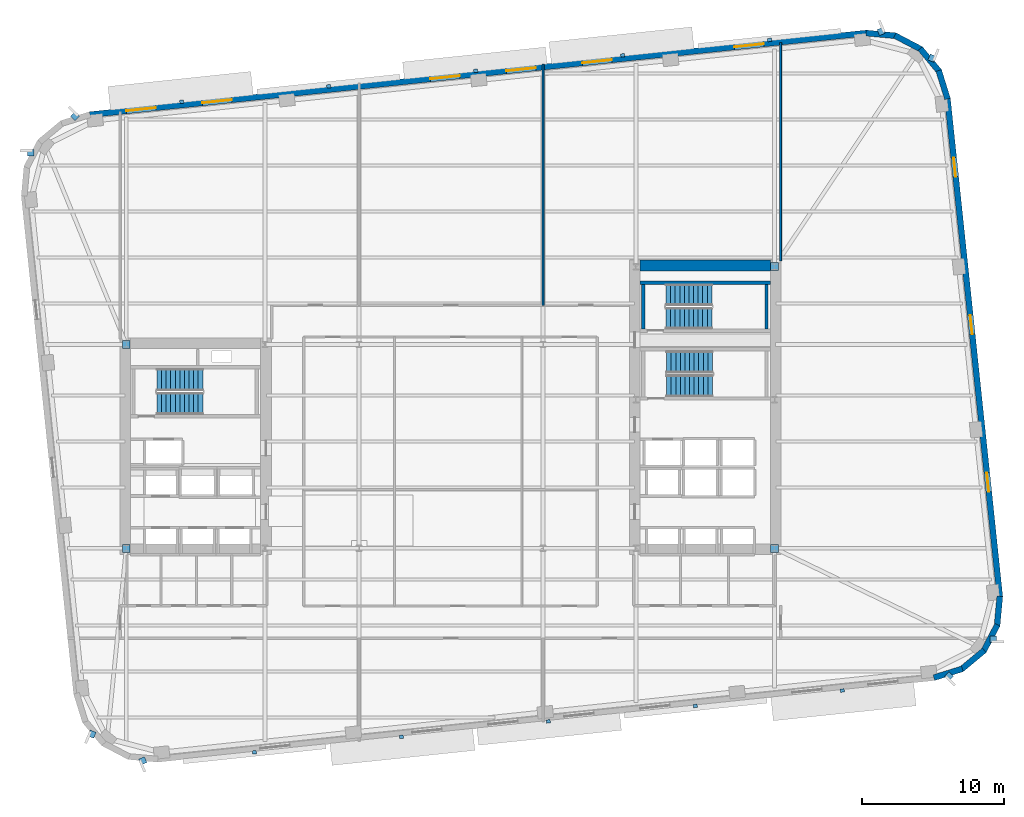
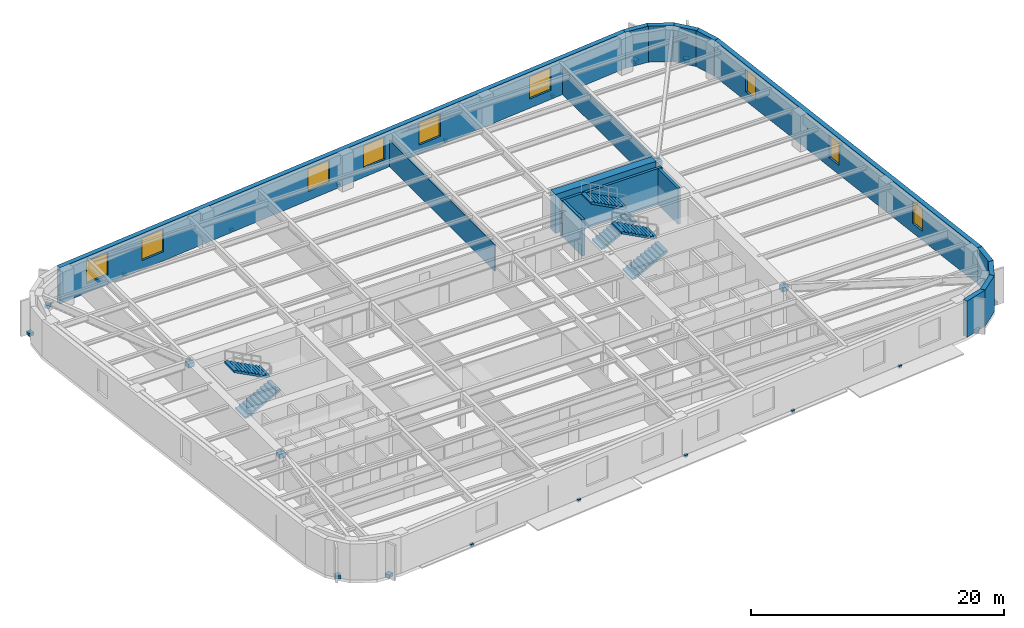
# One storey, part 7 of 14: 22 discrete accessories, 16 walls, 9 windows, 6 stair flights, 9 openings, 3 elements without a shape of their own.
"""IFC4 building model written with IfcOpenShell, lengths in metres."""

import ifcopenshell
import ifcopenshell.guid

model = None  # the IFC model being written
_history = None  # IfcOwnerHistory: only IFC2X3 demands one
_inside = {}  # id of a spatial element -> (the spatial element, [elements in it])
_under = {}  # id of a project, library or spatial element -> (it, [spatial elements below it])
_declared = {}  # id of a project -> (the project, [libraries it declares])
_typed = {}  # id of a type object -> (the type object, [elements of that type])
_made_of = {}  # id of a material, layer set ... -> (it, [elements and type objects made of it])


def new_model(schema):
    """Start an empty IFC model of exactly this schema.

    Asked for "IFC4X3", IfcOpenShell would pick the latest addendum, in which some entities
    have other attributes; the version numbers below select the first issue.
    IFC2X3 requires an IfcOwnerHistory on every rooted entity: one is made here for all.
    """
    global model, _history
    if schema == "IFC4X3":
        model = ifcopenshell.file(schema_version=(4, 3, 0, 0))
    else:
        model = ifcopenshell.file(schema=schema)
    _inside.clear()
    _under.clear()
    _declared.clear()
    _typed.clear()
    _made_of.clear()
    _history = None
    if model.schema == "IFC2X3":
        org = make("IfcOrganization", Name="unknown")
        user = make(
            "IfcPersonAndOrganization",
            ThePerson=make("IfcPerson", FamilyName="unknown"),
            TheOrganization=org,
        )
        app = make(
            "IfcApplication",
            ApplicationDeveloper=org,
            Version="unknown",
            ApplicationFullName="unknown",
            ApplicationIdentifier="unknown",
        )
        _history = make(
            "IfcOwnerHistory",
            OwningUser=user,
            OwningApplication=app,
            ChangeAction="ADDED",
            CreationDate=0,
        )
    return model


def make(cls, **values):
    """One entity of the class cls with the attributes given. An attribute that is None is left unset."""
    return model.create_entity(
        cls, **{name: value for name, value in values.items() if value is not None}
    )


def rooted(cls, **values):
    """An entity with a GlobalId (a new one), such as an element, a storey or a relation."""
    return make(cls, GlobalId=ifcopenshell.guid.new(), OwnerHistory=_history, **values)


def si_unit(unit_type, name, prefix=None):
    """IfcSIUnit, for example si_unit("LENGTHUNIT", "METRE", prefix="MILLI")."""
    return make("IfcSIUnit", UnitType=unit_type, Prefix=prefix, Name=name)


def assignment(units):
    """IfcUnitAssignment: the units of a project."""
    return None if units is None else make("IfcUnitAssignment", Units=units)


def point(xyz):
    """IfcCartesianPoint."""
    return None if xyz is None else make("IfcCartesianPoint", Coordinates=xyz)


def direction(xyz):
    """IfcDirection."""
    return None if xyz is None else make("IfcDirection", DirectionRatios=xyz)


def frame(location, z_axis=None, x_axis=None):
    """IfcAxis2Placement3D, a coordinate frame: its origin and axes. An axis left out is left unset."""
    return make(
        "IfcAxis2Placement3D",
        Location=point(location),
        Axis=direction(z_axis),
        RefDirection=direction(x_axis),
    )


def frame_2d(location, x_axis=None):
    """IfcAxis2Placement2D, a coordinate frame in the plane: its origin and x axis."""
    return make(
        "IfcAxis2Placement2D", Location=point(location), RefDirection=direction(x_axis)
    )


def origin():
    """The frame at (0, 0, 0) with its axes left unset."""
    return frame((0.0, 0.0, 0.0))


def origin_2d():
    """The frame at (0, 0) in the plane with its x axis left unset."""
    return frame_2d((0.0, 0.0))


def place(relative_to, where):
    """IfcLocalPlacement: puts the frame where relative to a parent placement (None: the world)."""
    return make(
        "IfcLocalPlacement", PlacementRelTo=relative_to, RelativePlacement=where
    )


def context(
    kind, dimensions, precision=None, world=None, true_north=None, identifier=None
):
    """IfcGeometricRepresentationContext, for example the 3D "Model" context."""
    return make(
        "IfcGeometricRepresentationContext",
        ContextIdentifier=identifier,
        ContextType=kind,
        CoordinateSpaceDimension=dimensions,
        Precision=precision,
        WorldCoordinateSystem=world,
        TrueNorth=true_north,
    )


def subcontext(parent, identifier, kind, view, scale=None):
    """IfcGeometricRepresentationSubContext, for example "Body" below "Model"."""
    return make(
        "IfcGeometricRepresentationSubContext",
        ContextIdentifier=identifier,
        ContextType=kind,
        ParentContext=parent,
        TargetScale=scale,
        TargetView=view,
    )


def project(units=None, contexts=None):
    """IfcProject with its units and contexts."""
    return rooted(
        "IfcProject",
        Name="project",
        RepresentationContexts=contexts,
        UnitsInContext=assignment(units),
    )


def spatial(cls, under=None, at=None, **own):
    """A site, building, storey or space (cls), placed at a placement, below another one or the project."""
    s = rooted(cls, ObjectPlacement=at, **own)
    if under is not None:
        _under.setdefault(under.id(), (under, []))[1].append(s)
    return s


def polyline(points):
    """IfcPolyline through the points."""
    return make("IfcPolyline", Points=[point(p) for p in points])


def profile(cls, at=None, kind="AREA", **sizes):
    """A parametric profile (cls). Its sizes go by their IFC names, for example OverallWidth=200.0."""
    return make(cls, ProfileType=kind, Position=at, **sizes)


def rectangle(**sizes):
    """IfcRectangleProfileDef."""
    return profile("IfcRectangleProfileDef", **sizes)


def outline(outer, holes=None, kind="AREA"):
    """IfcArbitraryClosedProfileDef: a profile drawn as a closed curve; with holes, ...WithVoids."""
    if holes is None:
        return make("IfcArbitraryClosedProfileDef", ProfileType=kind, OuterCurve=outer)
    return make(
        "IfcArbitraryProfileDefWithVoids",
        ProfileType=kind,
        OuterCurve=outer,
        InnerCurves=holes,
    )


def extrude(swept, where, along, depth):
    """IfcExtrudedAreaSolid: the profile swept, set in the frame where, extruded along a direction by depth."""
    return make(
        "IfcExtrudedAreaSolid",
        SweptArea=swept,
        Position=where,
        ExtrudedDirection=direction(along),
        Depth=depth,
    )


def shape(context_of_items, identifier, shape_type, items):
    """IfcShapeRepresentation: the items that make up one representation, for example the "Body"."""
    return make(
        "IfcShapeRepresentation",
        ContextOfItems=context_of_items,
        RepresentationIdentifier=identifier,
        RepresentationType=shape_type,
        Items=items,
    )


def material(Name=None, Category=None):
    """IfcMaterial."""
    return make("IfcMaterial", Name=Name, Category=Category)


def layer(
    of_material, thickness, ventilated=None, Name=None, Category=None, Priority=None
):
    """IfcMaterialLayer: one layer of a wall or slab, of a material (None: an air gap)."""
    return make(
        "IfcMaterialLayer",
        Material=of_material,
        LayerThickness=thickness,
        IsVentilated=ventilated,
        Name=Name,
        Category=Category,
        Priority=Priority,
    )


def layer_set(layers, Name=None):
    """IfcMaterialLayerSet."""
    return make("IfcMaterialLayerSet", MaterialLayers=layers, LayerSetName=Name)


def made_of(thing, what):
    """Note that an element or type object is made of a material, layer set ...; save() writes the relation."""
    if what is not None:
        _made_of.setdefault(what.id(), (what, []))[1].append(thing)
    return thing


def type_object(cls, material=None, **own):
    """A type object (cls), such as IfcWallType, which elements share."""
    return made_of(rooted(cls, **own), material)


def element(
    cls,
    number,
    at=None,
    inside=None,
    cuts=None,
    type_object=None,
    material=None,
    context=None,
    identifier="Body",
    shape_type=None,
    held_by="IfcProductDefinitionShape",
    body=None,
    shapes=None,
    **own,
):
    """One element of the class cls, such as IfcWall. Its Tag is "e" and its number.

    at: its placement. inside: the storey or other place that contains it. cuts: it is an
    opening in that element (IfcRelVoidsElement). A single representation is given by context,
    identifier, shape_type and body (its items); several are given by shapes. held_by: the class
    of the entity that holds the representations. save() writes the other relations.
    """
    e = rooted(cls, Tag="e%d" % number, ObjectPlacement=at, **own)
    if body is not None:
        shapes = [shape(context, identifier, shape_type, body)]
    if shapes is not None:
        e.Representation = make(held_by, Representations=shapes)
    if inside is not None:
        _inside.setdefault(inside.id(), (inside, []))[1].append(e)
    if cuts is not None:
        rooted(
            "IfcRelVoidsElement", RelatingBuildingElement=cuts, RelatedOpeningElement=e
        )
    if type_object is not None:
        _typed.setdefault(type_object.id(), (type_object, []))[1].append(e)
    return made_of(e, material)


def fill(opening, filler):
    """IfcRelFillsElement: the door or window that sits in an opening."""
    return rooted(
        "IfcRelFillsElement",
        RelatingOpeningElement=opening,
        RelatedBuildingElement=filler,
    )


def aggregate(whole, parts):
    """IfcRelAggregates: a whole, such as a stair, and the parts it consists of."""
    return rooted("IfcRelAggregates", RelatingObject=whole, RelatedObjects=parts)


def save(model, path):
    """Write the relations noted so far, then the file.

    IfcRelAggregates (storeys below a building ...), IfcRelContainedInSpatialStructure (elements
    in a storey), IfcRelDefinesByType, IfcRelAssociatesMaterial and IfcRelDeclares: one each for
    every whole, place, type object, material and project.
    """
    for whole, parts in _under.values():
        aggregate(whole, parts)
    for where, things in _inside.values():
        rooted(
            "IfcRelContainedInSpatialStructure",
            RelatedElements=things,
            RelatingStructure=where,
        )
    for kind, things in _typed.values():
        rooted("IfcRelDefinesByType", RelatedObjects=things, RelatingType=kind)
    for what, things in _made_of.values():
        rooted("IfcRelAssociatesMaterial", RelatedObjects=things, RelatingMaterial=what)
    for by, libraries in _declared.values():
        rooted("IfcRelDeclares", RelatingContext=by, RelatedDefinitions=libraries)
    model.write(path)


model = new_model("IFC4")

# Units and contexts
model_context = context("Model", 3, precision=1e-05, world=origin(), true_north=direction((0.0, 1.0)))
body_context = subcontext(model_context, "Body", "Model", "MODEL_VIEW")
ifc_project = project(units=[si_unit("LENGTHUNIT", "METRE"), si_unit("AREAUNIT", "SQUARE_METRE"), si_unit("VOLUMEUNIT", "CUBIC_METRE"), si_unit("PLANEANGLEUNIT", "RADIAN"), si_unit("MASSUNIT", "GRAM", prefix="KILO")], contexts=[model_context])

# Site, building, storey
site_placement = place(None, origin())
site = spatial("IfcSite", under=ifc_project, at=site_placement, CompositionType="ELEMENT")
building_placement = place(site_placement, origin())
building = spatial("IfcBuilding", under=site, at=building_placement, Name="Kolvaren Arena Tower", CompositionType="ELEMENT")
storey_placement = place(building_placement, frame((0.0, 0.0, 130.75)))
storey = spatial("IfcBuildingStorey", under=building, at=storey_placement, Name="L30", CompositionType="ELEMENT", Elevation=130.75)

# Walls
ifc_material_1 = material(Name="Concrete 70 MPa", Category="concrete")
ifc_layer_1 = layer(ifc_material_1, 0.75)
ifc_layer_set_1 = layer_set([ifc_layer_1], Name="Concrete 70 MPa")
wall_type_1 = type_object("IfcWallType", Name="CWALL-750", PredefinedType="SHEAR", material=ifc_layer_set_1)
wall_1_placement = place(storey_placement, frame((50.85009765625, 39.425048828125, -0.27001953125), z_axis=(0.0, 0.0, 1.0), x_axis=(1.0, 0.0, 0.0)))
element("IfcWall", 1, at=wall_1_placement, inside=storey, type_object=wall_type_1, Name="Core Shear Wall EC-NORTH (L30)", PredefinedType="SHEAR", context=body_context, shape_type="SweptSolid", body=[
    extrude(rectangle(XDim=9.199951171875, YDim=0.75, at=frame_2d((4.60009765625, 0.0))), origin(), (0.0, 0.0, 1.0), 3.75),
])
ifc_material_2 = material(Name="Precast concrete C50/60", Category="concrete")
ifc_layer_2 = layer(ifc_material_2, 0.419921875)
ifc_layer_set_2 = layer_set([ifc_layer_2], Name="Precast concrete C50/60")
wall_type_2 = type_object("IfcWallType", Name="EXT-PIER1", PredefinedType="SOLIDWALL", material=ifc_layer_set_2)
for number, where, z_axis, x_axis, name in (
    (2, (73.61328125, 10.93701171875, 0.0), (0.0, 0.0, 1.0), (-0.954993985335, -0.296625164093, 0.0), "Exterior Precast Masonry-Frame Wall (L30)"),
    (3, (75.1611328125, 12.2451171875, 0.0), (0.0, 0.0, 1.0), (-0.768800317178, -0.639488914921, 0.0), "Exterior Precast Masonry-Frame Wall (L30)"),
):
    element("IfcWall", number, at=place(storey_placement, frame(where, z_axis=z_axis, x_axis=x_axis)), inside=storey, type_object=wall_type_2, Name=name, PredefinedType="SOLIDWALL", context=body_context, shape_type="SweptSolid", body=[
        extrude(rectangle(XDim=2.10693359375, YDim=0.419921875, at=frame_2d((1.053466796875, 0.0))), origin(), (0.0, 0.0, 1.0), 3.47998046875),
    ])
wall_2_placement = place(storey_placement, frame((76.0908203125, 14.046142578125, 0.0), z_axis=(0.0, 0.0, 1.0), x_axis=(-0.465655699908, -0.884965970613, 0.0)))
element("IfcWall", 4, at=wall_2_placement, inside=storey, type_object=wall_type_2, Name="Exterior Precast Masonry-Frame Wall (L30)", PredefinedType="SOLIDWALL", context=body_context, shape_type="SweptSolid", body=[
    extrude(rectangle(XDim=2.107177734375, YDim=0.419921875, at=frame_2d((1.0537109375, 0.0))), origin(), (0.0, 0.0, 1.0), 3.47998046875),
])
wall_3_placement = place(storey_placement, frame((76.26025390625, 16.065673828125, 0.0), z_axis=(0.0, 0.0, 1.0), x_axis=(-0.091538655308, -0.995801523691, 0.0)))
element("IfcWall", 5, at=wall_3_placement, inside=storey, type_object=wall_type_2, Name="Exterior Precast Masonry-Frame Wall (L30)", PredefinedType="SOLIDWALL", context=body_context, shape_type="SweptSolid", body=[
    extrude(rectangle(XDim=2.10693359375, YDim=0.419921875, at=frame_2d((1.053466796875, 0.0))), origin(), (0.0, 0.0, 1.0), 3.47998046875),
])

# Wall, openings, windows
wall_4_placement = place(storey_placement, frame((72.560302734375, 51.23046875, 0.0), z_axis=(0.0, 0.0, 1.0), x_axis=(0.1045253859, -0.994522218808, 0.0)))
wall_4 = element("IfcWall", 6, at=wall_4_placement, inside=storey, type_object=wall_type_2, Name="Exterior Precast Masonry-Frame Wall (L30)", PredefinedType="SOLIDWALL", context=body_context, shape_type="SweptSolid", body=[
    extrude(rectangle(XDim=35.39990234375, YDim=0.419921875, at=frame_2d((17.699951171875, 0.0))), origin(), (0.0, 0.0, 1.0), 3.47998046875),
])
opening_1_placement = place(wall_4_placement, frame((4.199951171875, 0.0, 0.8798828125)))
opening_1 = element("IfcOpeningElement", 7, at=opening_1_placement, cuts=wall_4, Name="Opening W04", PredefinedType="OPENING", context=body_context, shape_type="SweptSolid", body=[
    extrude(rectangle(XDim=1.35009765625, YDim=2.199951171875, at=frame_2d((0.675048828125, 1.10009765625))), frame((0.0, 0.219970703125, 0.0), z_axis=(0.0, -1.0, 0.0), x_axis=(1.0, 0.0, 0.0)), (0.0, 0.0, 1.0), 0.43994140625),
])
opening_2_placement = place(wall_4_placement, frame((15.39990234375, 0.0, 0.8798828125)))
opening_2 = element("IfcOpeningElement", 8, at=opening_2_placement, cuts=wall_4, Name="Opening W04", PredefinedType="OPENING", context=body_context, shape_type="SweptSolid", body=[
    extrude(rectangle(XDim=1.35009765625, YDim=2.199951171875, at=frame_2d((0.675048828125, 1.10009765625))), frame((0.0, 0.219970703125, 0.0), z_axis=(0.0, -1.0, 0.0), x_axis=(1.0, 0.0, 0.0)), (0.0, 0.0, 1.0), 0.43994140625),
])
opening_3_placement = place(wall_4_placement, frame((26.60009765625, 0.0, 0.8798828125)))
opening_3 = element("IfcOpeningElement", 9, at=opening_3_placement, cuts=wall_4, Name="Opening W04", PredefinedType="OPENING", context=body_context, shape_type="SweptSolid", body=[
    extrude(rectangle(XDim=1.35009765625, YDim=2.199951171875, at=frame_2d((0.675048828125, 1.10009765625))), frame((0.0, 0.219970703125, 0.0), z_axis=(0.0, -1.0, 0.0), x_axis=(1.0, 0.0, 0.0)), (0.0, 0.0, 1.0), 0.43994140625),
])
ifc_material_3 = material(Name="Triple-glazed curved-facet corner window", Category="glass")
window_type_1 = type_object("IfcWindowType", Name="WIN-CRN-A", PartitioningType="SINGLE_PANEL", PredefinedType="WINDOW", material=ifc_material_3)
window_1_placement = place(opening_1_placement, origin())
window_1 = element("IfcWindow", 10, at=window_1_placement, inside=storey, type_object=window_type_1, Name="End-Wall Punched Window (L30)", OverallHeight=2.199951171875, OverallWidth=1.35009765625, PartitioningType="SINGLE_PANEL", PredefinedType="WINDOW", context=body_context, shape_type="SweptSolid", body=[
    extrude(rectangle(XDim=1.35009765625, YDim=2.199951171875, at=frame_2d((0.675048828125, 1.10009765625))), frame((0.0, 0.030029296875, 0.0), z_axis=(0.0, -1.0, 0.0), x_axis=(1.0, 0.0, 0.0)), (0.0, 0.0, 1.0), 0.06005859375),
])
fill(opening_1, window_1)
window_2_placement = place(opening_2_placement, origin())
window_2 = element("IfcWindow", 11, at=window_2_placement, inside=storey, type_object=window_type_1, Name="End-Wall Punched Window (L30)", OverallHeight=2.199951171875, OverallWidth=1.35009765625, PartitioningType="SINGLE_PANEL", PredefinedType="WINDOW", context=body_context, shape_type="SweptSolid", body=[
    extrude(rectangle(XDim=1.35009765625, YDim=2.199951171875, at=frame_2d((0.675048828125, 1.10009765625))), frame((0.0, 0.030029296875, 0.0), z_axis=(0.0, -1.0, 0.0), x_axis=(1.0, 0.0, 0.0)), (0.0, 0.0, 1.0), 0.06005859375),
])
fill(opening_2, window_2)
window_3_placement = place(opening_3_placement, origin())
window_3 = element("IfcWindow", 12, at=window_3_placement, inside=storey, type_object=window_type_1, Name="End-Wall Punched Window (L30)", OverallHeight=2.199951171875, OverallWidth=1.35009765625, PartitioningType="SINGLE_PANEL", PredefinedType="WINDOW", context=body_context, shape_type="SweptSolid", body=[
    extrude(rectangle(XDim=1.35009765625, YDim=2.199951171875, at=frame_2d((0.675048828125, 1.10009765625))), frame((0.0, 0.030029296875, 0.0), z_axis=(0.0, -1.0, 0.0), x_axis=(1.0, 0.0, 0.0)), (0.0, 0.0, 1.0), 0.06005859375),
])
fill(opening_3, window_3)

# Walls
for number, where, z_axis, x_axis, name in (
    (13, (71.943603515625, 53.202392578125, 0.0), (0.0, 0.0, 1.0), (0.296625164093, -0.954993985335, 0.0), "Exterior Precast Masonry-Frame Wall (L30)"),
    (14, (70.635498046875, 54.750244140625, 0.0), (0.0, 0.0, 1.0), (0.639488914921, -0.768800317178, 0.0), "Exterior Precast Masonry-Frame Wall (L30)"),
    (15, (68.83447265625, 55.6796875, 0.0), (0.0, 0.0, 1.0), (0.885013714693, -0.465564952296, 0.0), "Exterior Precast Masonry-Frame Wall (L30)"),
    (16, (66.81494140625, 55.849365234375, 0.0), (0.0, 0.0, 1.0), (0.995801523691, -0.091538655308, 0.0), "Exterior Precast Masonry-Frame Wall (L30)"),
):
    element("IfcWall", number, at=place(storey_placement, frame(where, z_axis=z_axis, x_axis=x_axis)), inside=storey, type_object=wall_type_2, Name=name, PredefinedType="SOLIDWALL", context=body_context, shape_type="SweptSolid", body=[
        extrude(rectangle(XDim=2.10693359375, YDim=0.419921875, at=frame_2d((1.053466796875, 0.0))), origin(), (0.0, 0.0, 1.0), 3.47998046875),
    ])

# Wall, openings, windows
wall_5_placement = place(storey_placement, frame((11.95849609375, 50.07958984375, 0.0), z_axis=(0.0, 0.0, 1.0), x_axis=(0.994521823388, 0.104529148113, 0.0)))
wall_5 = element("IfcWall", 17, at=wall_5_placement, inside=storey, type_object=wall_type_2, Name="Exterior Precast Masonry-Frame Wall (L30)", PredefinedType="SOLIDWALL", context=body_context, shape_type="SweptSolid", body=[
    extrude(rectangle(XDim=55.2001953125, YDim=0.419921875, at=frame_2d((27.60009765625, 0.0))), origin(), (0.0, 0.0, 1.0), 3.47998046875),
])
opening_4_placement = place(wall_5_placement, frame((2.60009765625, 0.0, 0.8798828125)))
opening_4 = element("IfcOpeningElement", 18, at=opening_4_placement, cuts=wall_5, Name="Opening W01", PredefinedType="OPENING", context=body_context, shape_type="SweptSolid", body=[
    extrude(rectangle(XDim=2.10009765625, YDim=2.14990234375, at=frame_2d((1.050048828125, 1.074951171875))), frame((0.0, 0.219970703125, 0.0), z_axis=(0.0, -1.0, 0.0), x_axis=(1.0, 0.0, 0.0)), (0.0, 0.0, 1.0), 0.43994140625),
])
opening_5_placement = place(wall_5_placement, frame((8.0, 0.0, 0.8798828125)))
opening_5 = element("IfcOpeningElement", 19, at=opening_5_placement, cuts=wall_5, Name="Opening W01", PredefinedType="OPENING", context=body_context, shape_type="SweptSolid", body=[
    extrude(rectangle(XDim=2.10009765625, YDim=2.14990234375, at=frame_2d((1.050048828125, 1.074951171875))), frame((0.0, 0.219970703125, 0.0), z_axis=(0.0, -1.0, 0.0), x_axis=(1.0, 0.0, 0.0)), (0.0, 0.0, 1.0), 0.43994140625),
])
opening_6_placement = place(wall_5_placement, frame((24.199951171875, 0.0, 0.8798828125)))
opening_6 = element("IfcOpeningElement", 20, at=opening_6_placement, cuts=wall_5, Name="Opening W01", PredefinedType="OPENING", context=body_context, shape_type="SweptSolid", body=[
    extrude(rectangle(XDim=2.10009765625, YDim=2.14990234375, at=frame_2d((1.050048828125, 1.074951171875))), frame((0.0, 0.219970703125, 0.0), z_axis=(0.0, -1.0, 0.0), x_axis=(1.0, 0.0, 0.0)), (0.0, 0.0, 1.0), 0.43994140625),
])
opening_7_placement = place(wall_5_placement, frame((29.60009765625, 0.0, 0.8798828125)))
opening_7 = element("IfcOpeningElement", 21, at=opening_7_placement, cuts=wall_5, Name="Opening W01", PredefinedType="OPENING", context=body_context, shape_type="SweptSolid", body=[
    extrude(rectangle(XDim=2.10009765625, YDim=2.14990234375, at=frame_2d((1.050048828125, 1.074951171875))), frame((0.0, 0.219970703125, 0.0), z_axis=(0.0, -1.0, 0.0), x_axis=(1.0, 0.0, 0.0)), (0.0, 0.0, 1.0), 0.43994140625),
])
opening_8_placement = place(wall_5_placement, frame((35.0, 0.0, 0.8798828125)))
opening_8 = element("IfcOpeningElement", 22, at=opening_8_placement, cuts=wall_5, Name="Opening W01", PredefinedType="OPENING", context=body_context, shape_type="SweptSolid", body=[
    extrude(rectangle(XDim=2.10009765625, YDim=2.14990234375, at=frame_2d((1.050048828125, 1.074951171875))), frame((0.0, 0.219970703125, 0.0), z_axis=(0.0, -1.0, 0.0), x_axis=(1.0, 0.0, 0.0)), (0.0, 0.0, 1.0), 0.43994140625),
])
opening_9_placement = place(wall_5_placement, frame((45.800048828125, 0.0, 0.8798828125)))
opening_9 = element("IfcOpeningElement", 23, at=opening_9_placement, cuts=wall_5, Name="Opening W01", PredefinedType="OPENING", context=body_context, shape_type="SweptSolid", body=[
    extrude(rectangle(XDim=2.10009765625, YDim=2.14990234375, at=frame_2d((1.050048828125, 1.074951171875))), frame((0.0, 0.219970703125, 0.0), z_axis=(0.0, -1.0, 0.0), x_axis=(1.0, 0.0, 0.0)), (0.0, 0.0, 1.0), 0.43994140625),
])
ifc_material_4 = material(Name="Triple-glazed low-E aluminium window", Category="aluminium")
window_type_2 = type_object("IfcWindowType", Name="WIN-OFF-A", PartitioningType="DOUBLE_PANEL_VERTICAL", PredefinedType="WINDOW", material=ifc_material_4)
window_4_placement = place(opening_4_placement, origin())
window_4 = element("IfcWindow", 24, at=window_4_placement, inside=storey, type_object=window_type_2, Name="Punched Precast-Pier Window (L30)", OverallHeight=2.14990234375, OverallWidth=2.10009765625, PartitioningType="DOUBLE_PANEL_VERTICAL", PredefinedType="WINDOW", context=body_context, shape_type="SweptSolid", body=[
    extrude(rectangle(XDim=2.10009765625, YDim=2.14990234375, at=frame_2d((1.050048828125, 1.074951171875))), frame((0.0, 0.030029296875, 0.0), z_axis=(0.0, -1.0, 0.0), x_axis=(1.0, 0.0, 0.0)), (0.0, 0.0, 1.0), 0.06005859375),
])
fill(opening_4, window_4)
window_5_placement = place(opening_5_placement, origin())
window_5 = element("IfcWindow", 25, at=window_5_placement, inside=storey, type_object=window_type_2, Name="Punched Precast-Pier Window (L30)", OverallHeight=2.14990234375, OverallWidth=2.10009765625, PartitioningType="DOUBLE_PANEL_VERTICAL", PredefinedType="WINDOW", context=body_context, shape_type="SweptSolid", body=[
    extrude(rectangle(XDim=2.10009765625, YDim=2.14990234375, at=frame_2d((1.050048828125, 1.074951171875))), frame((0.0, 0.030029296875, 0.0), z_axis=(0.0, -1.0, 0.0), x_axis=(1.0, 0.0, 0.0)), (0.0, 0.0, 1.0), 0.06005859375),
])
fill(opening_5, window_5)
window_6_placement = place(opening_6_placement, origin())
window_6 = element("IfcWindow", 26, at=window_6_placement, inside=storey, type_object=window_type_2, Name="Punched Precast-Pier Window (L30)", OverallHeight=2.14990234375, OverallWidth=2.10009765625, PartitioningType="DOUBLE_PANEL_VERTICAL", PredefinedType="WINDOW", context=body_context, shape_type="SweptSolid", body=[
    extrude(rectangle(XDim=2.10009765625, YDim=2.14990234375, at=frame_2d((1.050048828125, 1.074951171875))), frame((0.0, 0.030029296875, 0.0), z_axis=(0.0, -1.0, 0.0), x_axis=(1.0, 0.0, 0.0)), (0.0, 0.0, 1.0), 0.06005859375),
])
fill(opening_6, window_6)
window_7_placement = place(opening_7_placement, origin())
window_7 = element("IfcWindow", 27, at=window_7_placement, inside=storey, type_object=window_type_2, Name="Punched Precast-Pier Window (L30)", OverallHeight=2.14990234375, OverallWidth=2.10009765625, PartitioningType="DOUBLE_PANEL_VERTICAL", PredefinedType="WINDOW", context=body_context, shape_type="SweptSolid", body=[
    extrude(rectangle(XDim=2.10009765625, YDim=2.14990234375, at=frame_2d((1.050048828125, 1.074951171875))), frame((0.0, 0.030029296875, 0.0), z_axis=(0.0, -1.0, 0.0), x_axis=(1.0, 0.0, 0.0)), (0.0, 0.0, 1.0), 0.06005859375),
])
fill(opening_7, window_7)
window_8_placement = place(opening_8_placement, origin())
window_8 = element("IfcWindow", 28, at=window_8_placement, inside=storey, type_object=window_type_2, Name="Punched Precast-Pier Window (L30)", OverallHeight=2.14990234375, OverallWidth=2.10009765625, PartitioningType="DOUBLE_PANEL_VERTICAL", PredefinedType="WINDOW", context=body_context, shape_type="SweptSolid", body=[
    extrude(rectangle(XDim=2.10009765625, YDim=2.14990234375, at=frame_2d((1.050048828125, 1.074951171875))), frame((0.0, 0.030029296875, 0.0), z_axis=(0.0, -1.0, 0.0), x_axis=(1.0, 0.0, 0.0)), (0.0, 0.0, 1.0), 0.06005859375),
])
fill(opening_8, window_8)
window_9_placement = place(opening_9_placement, origin())
window_9 = element("IfcWindow", 29, at=window_9_placement, inside=storey, type_object=window_type_2, Name="Punched Precast-Pier Window (L30)", OverallHeight=2.14990234375, OverallWidth=2.10009765625, PartitioningType="DOUBLE_PANEL_VERTICAL", PredefinedType="WINDOW", context=body_context, shape_type="SweptSolid", body=[
    extrude(rectangle(XDim=2.10009765625, YDim=2.14990234375, at=frame_2d((1.050048828125, 1.074951171875))), frame((0.0, 0.030029296875, 0.0), z_axis=(0.0, -1.0, 0.0), x_axis=(1.0, 0.0, 0.0)), (0.0, 0.0, 1.0), 0.06005859375),
])
fill(opening_9, window_9)

# Walls
ifc_material_5 = material(Name="Gypsum board partition assembly", Category="gypsum")
ifc_layer_3 = layer(ifc_material_5, 0.135009765625)
ifc_layer_set_3 = layer_set([ifc_layer_3], Name="Gypsum board partition assembly")
wall_type_3 = type_object("IfcWallType", Name="PART-135", PredefinedType="PARTITIONING", material=ifc_layer_set_3)
wall_6_placement = place(storey_placement, frame((44.0, 36.6201171875, 0.0), z_axis=(0.0, 0.0, 1.0), x_axis=(0.0, 1.0, 0.0)))
element("IfcWall", 30, at=wall_6_placement, inside=storey, type_object=wall_type_3, Name="Interior Partition Wall (L30)", PredefinedType="PARTITIONING", context=body_context, shape_type="SweptSolid", body=[
    extrude(rectangle(XDim=17.038330078125, YDim=0.135009765625, at=frame_2d((8.51904296875, 0.0))), origin(), (0.0, 0.0, 1.0), 2.5400390625),
])
wall_7_placement = place(storey_placement, frame((60.780029296875, 39.75, 0.0), z_axis=(0.0, 0.0, 1.0), x_axis=(0.0, 1.0, 0.0)))
element("IfcWall", 31, at=wall_7_placement, inside=storey, type_object=wall_type_3, Name="Interior Partition Wall (L30)", PredefinedType="PARTITIONING", context=body_context, shape_type="SweptSolid", body=[
    extrude(rectangle(XDim=15.430908203125, YDim=0.135009765625, at=frame_2d((7.71533203125, 0.0))), origin(), (0.0, 0.0, 1.0), 2.5400390625),
])
ifc_material_6 = material(Name="Concrete 45 MPa", Category="concrete")
ifc_layer_4 = layer(ifc_material_6, 0.25)
ifc_layer_set_4 = layer_set([ifc_layer_4], Name="Concrete 45 MPa")
wall_type_4 = type_object("IfcWallType", Name="SHAFT-250", PredefinedType="SOLIDWALL", material=ifc_layer_set_4)
wall_8_placement = place(storey_placement, frame((50.85009765625, 38.219970703125, 0.0), z_axis=(0.0, 0.0, 1.0), x_axis=(1.0, 0.0, 0.0)))
element("IfcWall", 32, at=wall_8_placement, inside=storey, type_object=wall_type_4, Name="Core Shaft Wall (L30)", PredefinedType="SOLIDWALL", context=body_context, shape_type="SweptSolid", body=[
    extrude(rectangle(XDim=9.199951171875, YDim=0.239990234375, at=frame_2d((4.60009765625, 0.0))), origin(), (0.0, 0.0, 1.0), 3.47998046875),
])
for number, where, z_axis, x_axis, name in (
    (33, (51.06005859375, 34.949951171875, 0.0), (0.0, 0.0, 1.0), (0.0, 1.0, 0.0), "Core Shaft Wall (L30)"),
    (34, (59.780029296875, 34.949951171875, 0.0), (0.0, 0.0, 1.0), (0.0, 1.0, 0.0), "Core Shaft Wall (L30)"),
):
    element("IfcWall", number, at=place(storey_placement, frame(where, z_axis=z_axis, x_axis=x_axis)), inside=storey, type_object=wall_type_4, Name=name, PredefinedType="SOLIDWALL", context=body_context, shape_type="SweptSolid", body=[
        extrude(rectangle(XDim=3.150146484375, YDim=0.239990234375, at=frame_2d((1.5751953125, 0.0))), origin(), (0.0, 0.0, 1.0), 3.47998046875),
    ])

# Stair, stair flights
stair_type_1 = type_object("IfcStairType", Name="STAIR-CORE-150", PredefinedType="HALF_TURN_STAIR", material=ifc_material_6)
stair_1_placement = place(storey_placement, origin())
stair_1 = element("IfcStair", 35, at=stair_1_placement, inside=storey, type_object=stair_type_1, Name="L30 ST-E2", PredefinedType="HALF_TURN_STAIR")
stair_flight_type_1 = type_object("IfcStairFlightType", Name="FLT-150", PredefinedType="STRAIGHT", material=ifc_material_6)
stair_flight_1_placement = place(storey_placement, frame((52.679931640625, 35.699951171875, 0.0), z_axis=(0.0, 0.0, 1.0), x_axis=(1.0, 0.0, 0.0)))
stair_flight_1 = element("IfcStairFlight", 36, at=stair_flight_1_placement, type_object=stair_flight_type_1, Name="ST-E2 flight 1", NumberOfRisers=11, NumberOfTreads=10, PredefinedType="STRAIGHT", RiserHeight=0.170454545, TreadLength=0.324, context=body_context, shape_type="SweptSolid", body=[
    extrude(outline(polyline([(0.0, 0.0), (0.0, 0.17041015625), (0.323974609375, 0.17041015625), (0.323974609375, 0.3408203125), (0.64794921875, 0.3408203125), (0.64794921875, 0.511474609375), (0.971923828125, 0.511474609375), (0.971923828125, 0.681884765625), (1.2958984375, 0.681884765625), (1.2958984375, 0.852294921875), (1.6201171875, 0.852294921875), (1.6201171875, 1.022705078125), (1.944091796875, 1.022705078125), (1.944091796875, 1.193115234375), (2.26806640625, 1.193115234375), (2.26806640625, 1.363525390625), (2.592041015625, 1.363525390625), (2.592041015625, 1.5341796875), (2.916015625, 1.5341796875), (2.916015625, 1.70458984375), (3.239990234375, 1.70458984375), (3.239990234375, 1.875), (3.239990234375, 1.53515625), (0.322021484375, 0.0), (0.0, 0.0)])), frame((0.0, 0.75, 0.0), z_axis=(0.0, -1.0, 0.0), x_axis=(1.0, 0.0, 0.0)), (0.0, 0.0, 1.0), 1.5),
])
stair_flight_2_placement = place(storey_placement, frame((55.919921875, 37.35009765625, 1.875), z_axis=(0.0, 0.0, 1.0), x_axis=(-1.0, 0.0, 0.0)))
stair_flight_2 = element("IfcStairFlight", 37, at=stair_flight_2_placement, type_object=stair_flight_type_1, Name="ST-E2 flight 2", NumberOfRisers=11, NumberOfTreads=10, PredefinedType="STRAIGHT", RiserHeight=0.170454545, TreadLength=0.324, context=body_context, shape_type="SweptSolid", body=[
    extrude(outline(polyline([(0.0, 0.0), (0.0, 0.17041015625), (0.323974609375, 0.17041015625), (0.323974609375, 0.3408203125), (0.64794921875, 0.3408203125), (0.64794921875, 0.511474609375), (0.971923828125, 0.511474609375), (0.971923828125, 0.681884765625), (1.2958984375, 0.681884765625), (1.2958984375, 0.852294921875), (1.6201171875, 0.852294921875), (1.6201171875, 1.022705078125), (1.944091796875, 1.022705078125), (1.944091796875, 1.193115234375), (2.26806640625, 1.193115234375), (2.26806640625, 1.363525390625), (2.592041015625, 1.363525390625), (2.592041015625, 1.5341796875), (2.916015625, 1.5341796875), (2.916015625, 1.70458984375), (3.239990234375, 1.70458984375), (3.239990234375, 1.875), (3.239990234375, 1.53515625), (0.322021484375, 0.0), (0.0, 0.0)])), frame((0.0, 0.75, 0.0), z_axis=(0.0, -1.0, 0.0), x_axis=(1.0, 0.0, 0.0)), (0.0, 0.0, 1.0), 1.5),
])
aggregate(stair_1, [stair_flight_1, stair_flight_2])

stair_type_2 = type_object("IfcStairType", Name="STAIR-CORE-165", PredefinedType="HALF_TURN_STAIR", material=ifc_material_6)
stair_2_placement = place(storey_placement, origin())
stair_2 = element("IfcStair", 38, at=stair_2_placement, inside=storey, type_object=stair_type_2, Name="L30 ST-W1", PredefinedType="HALF_TURN_STAIR")
stair_flight_type_2 = type_object("IfcStairFlightType", Name="FLT-165", PredefinedType="STRAIGHT", material=ifc_material_6)
stair_flight_3_placement = place(storey_placement, frame((16.719970703125, 29.669921875, 0.0), z_axis=(0.0, 0.0, 1.0), x_axis=(1.0, 0.0, 0.0)))
stair_flight_3 = element("IfcStairFlight", 39, at=stair_flight_3_placement, type_object=stair_flight_type_2, Name="ST-W1 flight 1", NumberOfRisers=11, NumberOfTreads=10, PredefinedType="STRAIGHT", RiserHeight=0.170454545, TreadLength=0.324, context=body_context, shape_type="SweptSolid", body=[
    extrude(outline(polyline([(0.0, 0.0), (0.0, 0.17041015625), (0.323974609375, 0.17041015625), (0.323974609375, 0.3408203125), (0.64794921875, 0.3408203125), (0.64794921875, 0.511474609375), (0.971923828125, 0.511474609375), (0.971923828125, 0.681884765625), (1.2958984375, 0.681884765625), (1.2958984375, 0.852294921875), (1.6201171875, 0.852294921875), (1.6201171875, 1.022705078125), (1.944091796875, 1.022705078125), (1.944091796875, 1.193115234375), (2.26806640625, 1.193115234375), (2.26806640625, 1.363525390625), (2.592041015625, 1.363525390625), (2.592041015625, 1.5341796875), (2.916015625, 1.5341796875), (2.916015625, 1.70458984375), (3.239990234375, 1.70458984375), (3.239990234375, 1.875), (3.239990234375, 1.53515625), (0.322021484375, 0.0), (0.0, 0.0)])), frame((0.0, 0.77001953125, 0.0), z_axis=(0.0, -1.0, 0.0), x_axis=(1.0, 0.0, 0.0)), (0.0, 0.0, 1.0), 1.5400390625),
])
stair_flight_4_placement = place(storey_placement, frame((19.9599609375, 31.360107421875, 1.875), z_axis=(0.0, 0.0, 1.0), x_axis=(-1.0, 0.0, 0.0)))
stair_flight_4 = element("IfcStairFlight", 40, at=stair_flight_4_placement, type_object=stair_flight_type_2, Name="ST-W1 flight 2", NumberOfRisers=11, NumberOfTreads=10, PredefinedType="STRAIGHT", RiserHeight=0.170454545, TreadLength=0.324, context=body_context, shape_type="SweptSolid", body=[
    extrude(outline(polyline([(0.0, 0.0), (0.0, 0.17041015625), (0.323974609375, 0.17041015625), (0.323974609375, 0.3408203125), (0.64794921875, 0.3408203125), (0.64794921875, 0.511474609375), (0.971923828125, 0.511474609375), (0.971923828125, 0.681884765625), (1.2958984375, 0.681884765625), (1.2958984375, 0.852294921875), (1.6201171875, 0.852294921875), (1.6201171875, 1.022705078125), (1.944091796875, 1.022705078125), (1.944091796875, 1.193115234375), (2.26806640625, 1.193115234375), (2.26806640625, 1.363525390625), (2.592041015625, 1.363525390625), (2.592041015625, 1.5341796875), (2.916015625, 1.5341796875), (2.916015625, 1.70458984375), (3.239990234375, 1.70458984375), (3.239990234375, 1.875), (3.239990234375, 1.53515625), (0.322021484375, 0.0), (0.0, 0.0)])), frame((0.0, 0.77001953125, 0.0), z_axis=(0.0, -1.0, 0.0), x_axis=(1.0, 0.0, 0.0)), (0.0, 0.0, 1.0), 1.5400390625),
])
aggregate(stair_2, [stair_flight_3, stair_flight_4])

stair_3_placement = place(storey_placement, origin())
stair_3 = element("IfcStair", 41, at=stair_3_placement, inside=storey, type_object=stair_type_2, Name="L30 ST-E1", PredefinedType="HALF_TURN_STAIR")
stair_flight_5_placement = place(storey_placement, frame((52.719970703125, 30.919921875, 0.0), z_axis=(0.0, 0.0, 1.0), x_axis=(1.0, 0.0, 0.0)))
stair_flight_5 = element("IfcStairFlight", 42, at=stair_flight_5_placement, type_object=stair_flight_type_2, Name="ST-E1 flight 1", NumberOfRisers=11, NumberOfTreads=10, PredefinedType="STRAIGHT", RiserHeight=0.170454545, TreadLength=0.324, context=body_context, shape_type="SweptSolid", body=[
    extrude(outline(polyline([(0.0, 0.0), (0.0, 0.17041015625), (0.323974609375, 0.17041015625), (0.323974609375, 0.3408203125), (0.64794921875, 0.3408203125), (0.64794921875, 0.511474609375), (0.971923828125, 0.511474609375), (0.971923828125, 0.681884765625), (1.2958984375, 0.681884765625), (1.2958984375, 0.852294921875), (1.6201171875, 0.852294921875), (1.6201171875, 1.022705078125), (1.944091796875, 1.022705078125), (1.944091796875, 1.193115234375), (2.26806640625, 1.193115234375), (2.26806640625, 1.363525390625), (2.592041015625, 1.363525390625), (2.592041015625, 1.5341796875), (2.916015625, 1.5341796875), (2.916015625, 1.70458984375), (3.239990234375, 1.70458984375), (3.239990234375, 1.875), (3.239990234375, 1.53515625), (0.322021484375, 0.0), (0.0, 0.0)])), frame((0.0, 0.77001953125, 0.0), z_axis=(0.0, -1.0, 0.0), x_axis=(1.0, 0.0, 0.0)), (0.0, 0.0, 1.0), 1.5400390625),
])
stair_flight_6_placement = place(storey_placement, frame((55.9599609375, 32.610107421875, 1.875), z_axis=(0.0, 0.0, 1.0), x_axis=(-1.0, 0.0, 0.0)))
stair_flight_6 = element("IfcStairFlight", 43, at=stair_flight_6_placement, type_object=stair_flight_type_2, Name="ST-E1 flight 2", NumberOfRisers=11, NumberOfTreads=10, PredefinedType="STRAIGHT", RiserHeight=0.170454545, TreadLength=0.324, context=body_context, shape_type="SweptSolid", body=[
    extrude(outline(polyline([(0.0, 0.0), (0.0, 0.17041015625), (0.323974609375, 0.17041015625), (0.323974609375, 0.3408203125), (0.64794921875, 0.3408203125), (0.64794921875, 0.511474609375), (0.971923828125, 0.511474609375), (0.971923828125, 0.681884765625), (1.2958984375, 0.681884765625), (1.2958984375, 0.852294921875), (1.6201171875, 0.852294921875), (1.6201171875, 1.022705078125), (1.944091796875, 1.022705078125), (1.944091796875, 1.193115234375), (2.26806640625, 1.193115234375), (2.26806640625, 1.363525390625), (2.592041015625, 1.363525390625), (2.592041015625, 1.5341796875), (2.916015625, 1.5341796875), (2.916015625, 1.70458984375), (3.239990234375, 1.70458984375), (3.239990234375, 1.875), (3.239990234375, 1.53515625), (0.322021484375, 0.0), (0.0, 0.0)])), frame((0.0, 0.77001953125, 0.0), z_axis=(0.0, -1.0, 0.0), x_axis=(1.0, 0.0, 0.0)), (0.0, 0.0, 1.0), 1.5400390625),
])
aggregate(stair_3, [stair_flight_5, stair_flight_6])

# Discrete accessories
ifc_material_7 = material(Name="Stainless steel facade support bracket", Category="steel")
discrete_accessory_type_1 = type_object("IfcDiscreteAccessoryType", Name="ACC-BRKT-1", PredefinedType="BRACKET", material=ifc_material_7)
for number, where, z_axis, x_axis, name in (
    (44, (72.66943359375, 10.423828125, 0.02001953125), (0.0, 0.0, 1.0), (0.710184146885, -0.704015963962, 0.0), "Corner Fin Anchor Bracket (L30)"),
    (45, (75.7861328125, 13.01611328125, 0.02001953125), (0.0, 0.0, 1.0), (0.999990541547, 0.004349346783, 0.0), "Corner Fin Anchor Bracket (L30)"),
    (46, (71.470703125, 54.07470703125, 0.02001953125), (0.0, 0.0, 1.0), (0.378634078949, 0.925546451702, 0.0), "Corner Fin Anchor Bracket (L30)"),
    (47, (67.88330078125, 55.9619140625, 0.02001953125), (0.0, 0.0, 1.0), (-0.386706132999, 0.922202996472, 0.0), "Corner Fin Anchor Bracket (L30)"),
):
    element("IfcDiscreteAccessory", number, at=place(storey_placement, frame(where, z_axis=z_axis, x_axis=x_axis)), inside=storey, type_object=discrete_accessory_type_1, Name=name, PredefinedType="BRACKET", context=body_context, shape_type="SweptSolid", body=[
        extrude(rectangle(XDim=0.449951171875, YDim=0.449951171875, at=origin_2d()), origin(), (0.0, 0.0, 1.0), 0.300048828125),
    ])
for number, where, z_axis, x_axis, name in (
    (48, (18.468505859375, 50.9951171875, -0.18017578125), (0.0, 0.0, 1.0), (0.994522077803, 0.104526727499, 0.0), "Sunshade Support Bracket (L30)"),
    (49, (28.851318359375, 52.08642578125, -0.18017578125), (0.0, 0.0, 1.0), (0.994522077803, 0.104526727499, 0.0), "Sunshade Support Bracket (L30)"),
    (50, (39.234130859375, 53.177734375, -0.18017578125), (0.0, 0.0, 1.0), (0.994522077803, 0.104526727499, 0.0), "Sunshade Support Bracket (L30)"),
    (51, (49.616943359375, 54.268798828125, -0.18017578125), (0.0, 0.0, 1.0), (0.994522077803, 0.104526727499, 0.0), "Sunshade Support Bracket (L30)"),
    (52, (59.999755859375, 55.360107421875, -0.18017578125), (0.0, 0.0, 1.0), (0.994522077803, 0.104526727499, 0.0), "Sunshade Support Bracket (L30)"),
):
    element("IfcDiscreteAccessory", number, at=place(storey_placement, frame(where, z_axis=z_axis, x_axis=x_axis)), inside=storey, type_object=discrete_accessory_type_1, Name=name, PredefinedType="BRACKET", context=body_context, shape_type="SweptSolid", body=[
        extrude(rectangle(XDim=0.280029296875, YDim=0.239990234375, at=origin_2d()), origin(), (0.0, 0.0, 1.0), 0.239990234375),
    ])
for number, where, z_axis, x_axis, name in (
    (53, (10.930419921875, 49.97607421875, 0.02001953125), (0.0, 0.0, 1.0), (-0.710184146885, 0.704015963962, 0.0), "Corner Fin Anchor Bracket (L30)"),
    (54, (7.81396484375, 47.384033203125, 0.02001953125), (0.0, 0.0, 1.0), (-0.999990541547, -0.004349346783, 0.0), "Corner Fin Anchor Bracket (L30)"),
    (55, (12.12939453125, 6.325439453125, 0.02001953125), (0.0, 0.0, 1.0), (-0.378634078949, -0.925546451702, 0.0), "Corner Fin Anchor Bracket (L30)"),
    (56, (15.716796875, 4.43798828125, 0.02001953125), (0.0, 0.0, 1.0), (0.386706132999, -0.922202996472, 0.0), "Corner Fin Anchor Bracket (L30)"),
):
    element("IfcDiscreteAccessory", number, at=place(storey_placement, frame(where, z_axis=z_axis, x_axis=x_axis)), inside=storey, type_object=discrete_accessory_type_1, Name=name, PredefinedType="BRACKET", context=body_context, shape_type="SweptSolid", body=[
        extrude(rectangle(XDim=0.449951171875, YDim=0.449951171875, at=origin_2d()), origin(), (0.0, 0.0, 1.0), 0.300048828125),
    ])
for number, where, z_axis, x_axis, name in (
    (57, (65.131591796875, 9.40478515625, -0.18017578125), (0.0, 0.0, 1.0), (-0.994522077803, -0.104526727499, 0.0), "Sunshade Support Bracket (L30)"),
    (58, (54.748779296875, 8.313720703125, -0.18017578125), (0.0, 0.0, 1.0), (-0.994522077803, -0.104526727499, 0.0), "Sunshade Support Bracket (L30)"),
    (59, (44.365966796875, 7.222412109375, -0.18017578125), (0.0, 0.0, 1.0), (-0.994522077803, -0.104526727499, 0.0), "Sunshade Support Bracket (L30)"),
    (60, (33.983154296875, 6.131103515625, -0.18017578125), (0.0, 0.0, 1.0), (-0.994522077803, -0.104526727499, 0.0), "Sunshade Support Bracket (L30)"),
    (61, (23.600341796875, 5.039794921875, -0.18017578125), (0.0, 0.0, 1.0), (-0.994522077803, -0.104526727499, 0.0), "Sunshade Support Bracket (L30)"),
):
    element("IfcDiscreteAccessory", number, at=place(storey_placement, frame(where, z_axis=z_axis, x_axis=x_axis)), inside=storey, type_object=discrete_accessory_type_1, Name=name, PredefinedType="BRACKET", context=body_context, shape_type="SweptSolid", body=[
        extrude(rectangle(XDim=0.280029296875, YDim=0.239990234375, at=origin_2d()), origin(), (0.0, 0.0, 1.0), 0.239990234375),
    ])
ifc_material_8 = material(Name="Steel CSA G40.21 350W bolted gusset connection", Category="steel")
discrete_accessory_type_2 = type_object("IfcDiscreteAccessoryType", Name="ACC-CONN-1", PredefinedType="BRACKET", material=ifc_material_8)
for number, where, z_axis, x_axis, name in (
    (62, (60.35009765625, 19.449951171875, 2.87353515625), (0.0, 0.0, 1.0), (1.0, 0.0, 0.0), "Core Wall Cast-In Embed Plate EP1 (L30)"),
    (63, (60.35009765625, 39.35009765625, 2.87353515625), (0.0, 0.0, 1.0), (1.0, 0.0, 0.0), "Core Wall Cast-In Embed Plate EP1 (L30)"),
    (64, (14.550048828125, 33.85009765625, 2.87353515625), (0.0, 0.0, 1.0), (1.0, 0.0, 0.0), "Core Wall Cast-In Embed Plate EP1 (L30)"),
    (65, (14.550048828125, 19.449951171875, 2.87353515625), (0.0, 0.0, 1.0), (1.0, 0.0, 0.0), "Core Wall Cast-In Embed Plate EP1 (L30)"),
):
    element("IfcDiscreteAccessory", number, at=place(storey_placement, frame(where, z_axis=z_axis, x_axis=x_axis)), inside=storey, type_object=discrete_accessory_type_2, Name=name, PredefinedType="BRACKET", context=body_context, shape_type="SweptSolid", body=[
        extrude(rectangle(XDim=0.56005859375, YDim=0.56005859375, at=origin_2d()), origin(), (0.0, 0.0, 1.0), 0.43994140625),
    ])

save(model, "model.ifc")
